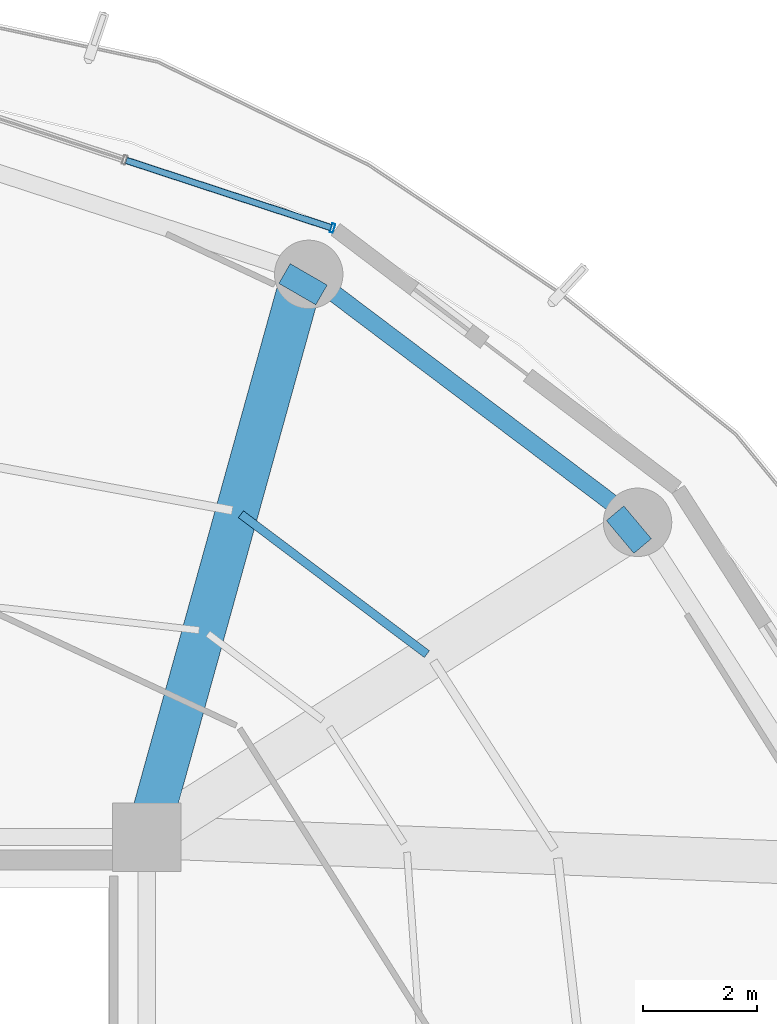
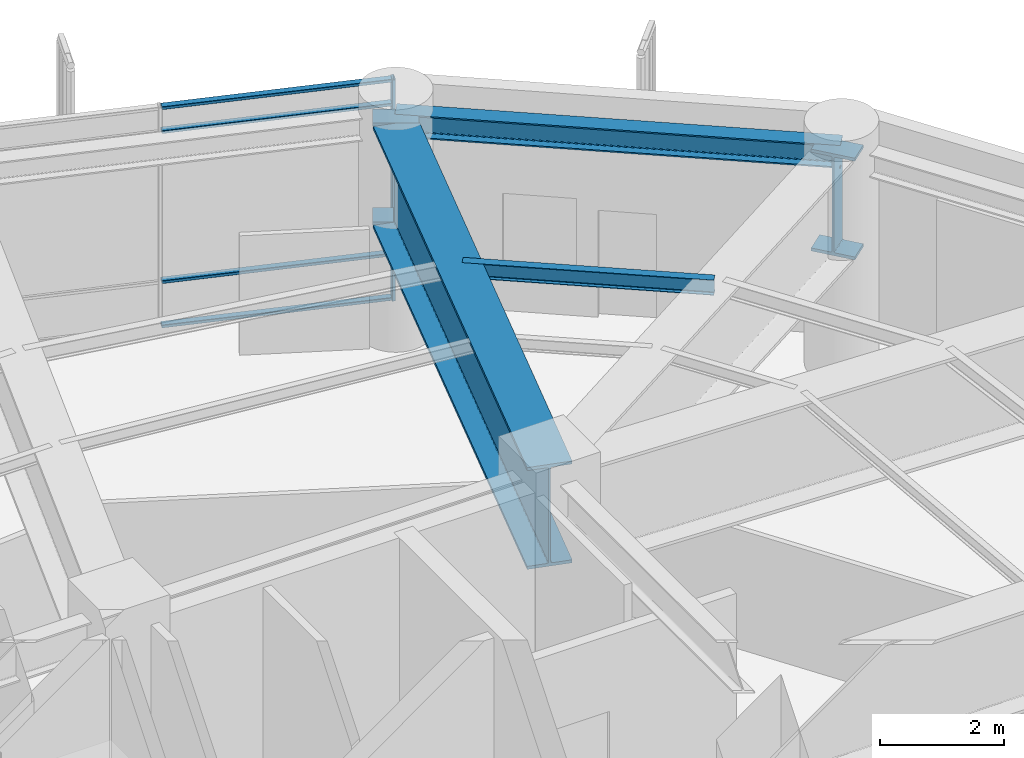
# One storey, part 19 of 28: 5 beams, 5 members, 1 element without a shape of its own.
"""IFC4 building model written with IfcOpenShell, lengths in metres."""

from ifc_helpers import new_model, si_unit, direction, frame, origin, origin_2d, place, context, subcontext, project, spatial, hollow_rectangle, i_section, extrude, material, layer, layer_set, material_profile, profile_set, type_object, element, aggregate, save


model = new_model("IFC4")

# Units and contexts
model_context = context("Model", 3, precision=1e-05, world=origin(), true_north=direction((0.0, 1.0)))
body_context = subcontext(model_context, "Body", "Model", "MODEL_VIEW")
ifc_project = project(units=[si_unit("LENGTHUNIT", "METRE"), si_unit("AREAUNIT", "SQUARE_METRE"), si_unit("VOLUMEUNIT", "CUBIC_METRE"), si_unit("PLANEANGLEUNIT", "RADIAN"), si_unit("MASSUNIT", "GRAM", prefix="KILO")], contexts=[model_context])

# Site, building, storey
site_placement = place(None, origin())
site = spatial("IfcSite", under=ifc_project, at=site_placement, CompositionType="ELEMENT")
building_placement = place(site_placement, origin())
building = spatial("IfcBuilding", under=site, at=building_placement, Name="Kelanora Arch Commons", CompositionType="ELEMENT")
storey_placement = place(building_placement, frame((0.0, 0.0, 184.35009765625)))
storey = spatial("IfcBuildingStorey", under=building, at=storey_placement, Name="L47", CompositionType="ELEMENT", Elevation=184.35009765625)

# Beams
ifc_material_1 = material(Name="Steel S355", Category="steel")
ifc_material_profile_1 = material_profile(ifc_material_1, i_section(OverallWidth=0.14990234375, OverallDepth=0.300048828125, WebThickness=0.007080078125, FlangeThickness=0.0107421875, FilletRadius=0.014892578125, at=origin_2d()), Name="IPE300")
ifc_profile_set_1 = profile_set([ifc_material_profile_1], Name="Steel S355")
beam_type_1 = type_object("IfcBeamType", Name="BM-JST-01", PredefinedType="JOIST", material=ifc_profile_set_1)
beam_1_placement = place(storey_placement, frame((86.912841796875, 68.209716796875, 4.2099609375), z_axis=(-0.799101708656, 0.601195857624, 0.0), x_axis=(-0.601195857624, -0.799101708656, 0.0)))
element("IfcBeam", 1, at=beam_1_placement, inside=storey, type_object=beam_type_1, Name="Secondary Chord Joist BJB-04 L47", PredefinedType="JOIST", context=body_context, shape_type="SweptSolid", body=[
    extrude(i_section(OverallWidth=0.14990234375, OverallDepth=0.300048828125, WebThickness=0.007080078125, FlangeThickness=0.0107421875, FilletRadius=0.014892578125, at=origin_2d()), origin(), (0.0, 0.0, 1.0), 4.080810546875),
])
ifc_material_profile_2 = material_profile(ifc_material_1, i_section(OverallWidth=0.300048828125, OverallDepth=0.449951171875, WebThickness=0.013916015625, FlangeThickness=0.02587890625, FilletRadius=0.027099609375, at=origin_2d()), Name="HEB450")
ifc_profile_set_2 = profile_set([ifc_material_profile_2], Name="Steel S355")
beam_type_2 = type_object("IfcBeamType", Name="BM-SPN-Z3", PredefinedType="SPANDREL", material=ifc_profile_set_2)
beam_2_placement = place(storey_placement, frame((90.60791015625, 70.521484375, 4.135009765625), z_axis=(-0.798484645564, 0.60201517489, 0.0), x_axis=(-0.60201517489, -0.798484645564, 0.0)))
element("IfcBeam", 2, at=beam_2_placement, inside=storey, type_object=beam_type_2, Name="Perimeter Spandrel Beam BS-04 L47", PredefinedType="SPANDREL", context=body_context, shape_type="SweptSolid", body=[
    extrude(i_section(OverallWidth=0.300048828125, OverallDepth=0.449951171875, WebThickness=0.013916015625, FlangeThickness=0.02587890625, FilletRadius=0.027099609375, at=origin_2d()), origin(), (0.0, 0.0, 1.0), 7.223388671875),
])
ifc_material_profile_3 = material_profile(ifc_material_1, i_section(OverallWidth=0.75, OverallDepth=2.0, WebThickness=0.034912109375, FlangeThickness=0.06005859375, FilletRadius=0.028076171875, at=origin_2d()), Name="PG2000x750")
ifc_profile_set_3 = profile_set([ifc_material_profile_3], Name="Steel S355")
beam_type_3 = type_object("IfcBeamType", Name="BM-XFER-SET", PredefinedType="USERDEFINED", material=ifc_profile_set_3)
beam_3_placement = place(storey_placement, frame((90.301513671875, 70.264404296875, 3.35986328125), z_axis=(0.766065493671, 0.642762521781, 0.0), x_axis=(-0.642762521781, 0.766065493671, 0.0)))
element("IfcBeam", 3, at=beam_3_placement, inside=storey, type_object=beam_type_3, Name="Radial Floor Girder BR-04 L47", ObjectType="TRANSFER_GIRDER", PredefinedType="USERDEFINED", context=body_context, shape_type="SweptSolid", body=[
    extrude(i_section(OverallWidth=0.75, OverallDepth=2.0, WebThickness=0.034912109375, FlangeThickness=0.06005859375, FilletRadius=0.028076171875, at=origin_2d()), origin(), (0.0, 0.0, 1.0), 0.39990234375),
])
beam_4_placement = place(storey_placement, frame((82.0, 65.0, 3.35986328125), z_axis=(0.267120164296, 0.963663228429, 0.0), x_axis=(-0.963663228429, 0.267120164296, 0.0)))
element("IfcBeam", 4, at=beam_4_placement, inside=storey, type_object=beam_type_3, Name="Setback Radial Transfer Girder BRI-06 L47", ObjectType="TRANSFER_GIRDER", PredefinedType="USERDEFINED", context=body_context, shape_type="SweptSolid", body=[
    extrude(i_section(OverallWidth=0.75, OverallDepth=2.0, WebThickness=0.034912109375, FlangeThickness=0.06005859375, FilletRadius=0.028076171875, at=origin_2d()), origin(), (0.0, 0.0, 1.0), 9.8828125),
])
beam_5_placement = place(storey_placement, frame((84.639892578125, 74.523681640625, 3.35986328125), z_axis=(0.500338590944, 0.865829829939, 0.0), x_axis=(-0.865829829939, 0.500338590944, 0.0)))
element("IfcBeam", 5, at=beam_5_placement, inside=storey, type_object=beam_type_3, Name="Radial Floor Girder BR-06 L47", ObjectType="TRANSFER_GIRDER", PredefinedType="USERDEFINED", context=body_context, shape_type="SweptSolid", body=[
    extrude(i_section(OverallWidth=0.75, OverallDepth=2.0, WebThickness=0.034912109375, FlangeThickness=0.06005859375, FilletRadius=0.028076171875, at=origin_2d()), origin(), (0.0, 0.0, 1.0), 0.400146484375),
])

# Curtain wall, members
ifc_material_2 = material(Name="Terracotta ceramic-fritted low-E glass and aluminium", Category="masonry")
ifc_layer = layer(ifc_material_2, 0.175048828125)
ifc_layer_set = layer_set([ifc_layer], Name="Terracotta ceramic-fritted low-E glass and aluminium")
curtain_wall_type = type_object("IfcCurtainWallType", Name="CW-SYS-02", PredefinedType="NOTDEFINED", material=ifc_layer_set)
curtain_wall_placement = place(storey_placement, origin())
curtain_wall = element("IfcCurtainWall", 6, at=curtain_wall_placement, inside=storey, type_object=curtain_wall_type, Name="Unitised Curtain Wall L47-B03", PredefinedType="NOTDEFINED")
ifc_material_3 = material(Name="Powder-coated aluminium terracotta", Category="masonry")
ifc_material_profile_4 = material_profile(ifc_material_3, hollow_rectangle(XDim=0.159912109375, YDim=0.06005859375, WallThickness=0.0048828125, InnerFilletRadius=0.0048828125, OuterFilletRadius=0.010009765625, at=origin_2d()), Name="CWM160x60")
ifc_profile_set_4 = profile_set([ifc_material_profile_4], Name="Powder-coated aluminium terracotta")
member_type_1 = type_object("IfcMemberType", Name="CWM-STD", PredefinedType="MULLION", material=ifc_profile_set_4)
member_1_placement = place(storey_placement, frame((85.257080078125, 75.680908203125, 0.0), z_axis=(0.0, 0.0, 1.0), x_axis=(-0.312128279571, -0.95003996605, 0.0)))
member_1 = element("IfcMember", 7, at=member_1_placement, type_object=member_type_1, Name="CW-02 mullion 1", PredefinedType="MULLION", context=body_context, shape_type="SweptSolid", body=[
    extrude(hollow_rectangle(XDim=0.159912109375, YDim=0.06005859375, WallThickness=0.0048828125, InnerFilletRadius=0.0048828125, OuterFilletRadius=0.010009765625, at=origin_2d()), origin(), (0.0, 0.0, 1.0), 4.344970703125),
])
ifc_material_profile_5 = material_profile(ifc_material_3, hollow_rectangle(XDim=0.1201171875, YDim=0.06005859375, WallThickness=0.0048828125, InnerFilletRadius=0.0048828125, OuterFilletRadius=0.010009765625, at=origin_2d()), Name="CWT120x60")
ifc_profile_set_5 = profile_set([ifc_material_profile_5], Name="Powder-coated aluminium terracotta")
member_type_2 = type_object("IfcMemberType", Name="CWT-STD", PredefinedType="USERDEFINED", material=ifc_profile_set_5)
member_2_placement = place(storey_placement, frame((85.228759765625, 75.6904296875, 0.02978515625), z_axis=(-0.950051191155, 0.312094111104, 0.0), x_axis=(-0.312094111104, -0.950051191155, 0.0)))
member_2 = element("IfcMember", 8, at=member_2_placement, type_object=member_type_2, Name="CW-02 transom 1.1", ObjectType="TRANSOM", PredefinedType="USERDEFINED", context=body_context, shape_type="SweptSolid", body=[
    extrude(hollow_rectangle(XDim=0.1201171875, YDim=0.06005859375, WallThickness=0.0048828125, InnerFilletRadius=0.0048828125, OuterFilletRadius=0.010009765625, at=origin_2d()), origin(), (0.0, 0.0, 1.0), 3.77685546875),
])
member_3_placement = place(storey_placement, frame((85.228759765625, 75.6904296875, 0.89990234375), z_axis=(-0.950051191155, 0.312094111104, 0.0), x_axis=(-0.312094111104, -0.950051191155, 0.0)))
member_3 = element("IfcMember", 9, at=member_3_placement, type_object=member_type_2, Name="CW-02 transom 1.2", ObjectType="TRANSOM", PredefinedType="USERDEFINED", context=body_context, shape_type="SweptSolid", body=[
    extrude(hollow_rectangle(XDim=0.1201171875, YDim=0.06005859375, WallThickness=0.0048828125, InnerFilletRadius=0.0048828125, OuterFilletRadius=0.010009765625, at=origin_2d()), origin(), (0.0, 0.0, 1.0), 3.77685546875),
])
member_4_placement = place(storey_placement, frame((85.228759765625, 75.6904296875, 3.844970703125), z_axis=(-0.950051191155, 0.312094111104, 0.0), x_axis=(-0.312094111104, -0.950051191155, 0.0)))
member_4 = element("IfcMember", 10, at=member_4_placement, type_object=member_type_2, Name="CW-02 transom 1.3", ObjectType="TRANSOM", PredefinedType="USERDEFINED", context=body_context, shape_type="SweptSolid", body=[
    extrude(hollow_rectangle(XDim=0.1201171875, YDim=0.06005859375, WallThickness=0.0048828125, InnerFilletRadius=0.0048828125, OuterFilletRadius=0.010009765625, at=origin_2d()), origin(), (0.0, 0.0, 1.0), 3.77685546875),
])
member_5_placement = place(storey_placement, frame((85.228759765625, 75.6904296875, 4.31494140625), z_axis=(-0.950051191155, 0.312094111104, 0.0), x_axis=(-0.312094111104, -0.950051191155, 0.0)))
member_5 = element("IfcMember", 11, at=member_5_placement, type_object=member_type_2, Name="CW-02 transom 1.4", ObjectType="TRANSOM", PredefinedType="USERDEFINED", context=body_context, shape_type="SweptSolid", body=[
    extrude(hollow_rectangle(XDim=0.1201171875, YDim=0.06005859375, WallThickness=0.0048828125, InnerFilletRadius=0.0048828125, OuterFilletRadius=0.010009765625, at=origin_2d()), origin(), (0.0, 0.0, 1.0), 3.77685546875),
])
aggregate(curtain_wall, [member_1, member_2, member_3, member_4, member_5])

save(model, "model.ifc")
